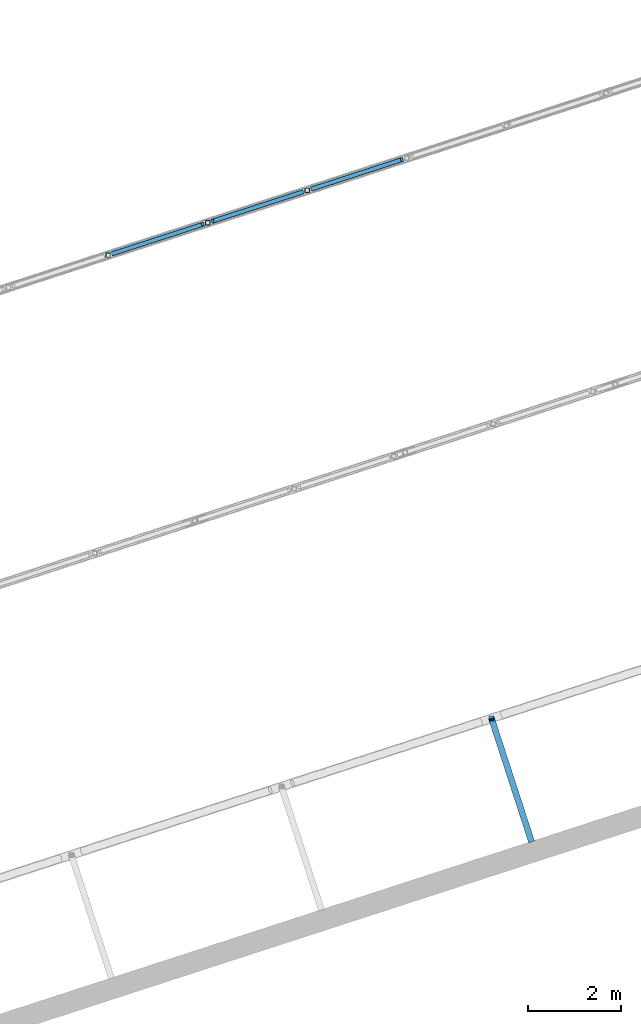
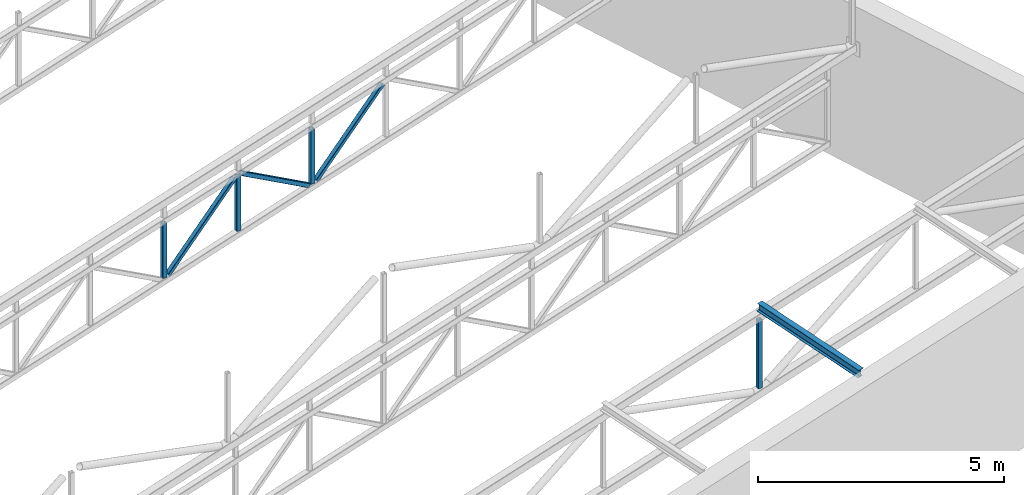
# One storey, part 17 of 81: 8 members.
"""IFC4 building model written with IfcOpenShell, lengths in metres."""

from ifc_helpers import new_model, si_unit, direction, frame, origin, origin_2d, place, context, subcontext, project, spatial, hollow_rectangle, i_section, extrude, material, material_profile, profile_set, type_object, element, save


model = new_model("IFC4")

# Units and contexts
model_context = context("Model", 3, precision=1e-05, world=origin(), true_north=direction((0.0, 1.0)))
body_context = subcontext(model_context, "Body", "Model", "MODEL_VIEW")
ifc_project = project(units=[si_unit("LENGTHUNIT", "METRE"), si_unit("AREAUNIT", "SQUARE_METRE"), si_unit("VOLUMEUNIT", "CUBIC_METRE"), si_unit("PLANEANGLEUNIT", "RADIAN"), si_unit("MASSUNIT", "GRAM", prefix="KILO")], contexts=[model_context])

# Site, building, storey
site_placement = place(None, origin())
site = spatial("IfcSite", under=ifc_project, at=site_placement, CompositionType="ELEMENT")
building_placement = place(site_placement, origin())
building = spatial("IfcBuilding", under=site, at=building_placement, Name="Tuart Plaza Theatre", CompositionType="ELEMENT")
storey_placement = place(building_placement, frame((0.0, 0.0, 17.5)))
storey = spatial("IfcBuildingStorey", under=building, at=storey_placement, Name="L04", CompositionType="ELEMENT", Elevation=17.5)

# Members
ifc_material_1 = material(Name="Steel Grade C350L0", Category="steel")
ifc_material_profile_1 = material_profile(ifc_material_1, hollow_rectangle(XDim=0.10009765625, YDim=0.10009765625, WallThickness=0.006103515625, InnerFilletRadius=0.006103515625, OuterFilletRadius=0.011962890625, at=origin_2d()), Name="100x100x6 SHS")
ifc_profile_set_1 = profile_set([ifc_material_profile_1], Name="Steel Grade C350L0")
member_type_1 = type_object("IfcMemberType", Name="MEMBER Brace 100x100x6 SHS", PredefinedType="BRACE", material=ifc_profile_set_1)
for number, where, z_axis, x_axis, name in (
    (1, (59.25, 60.77734375, 1.8916015625), (0.791072972357, 0.257066093415, 0.555086097847), (-0.309050599318, 0.951045596731, 0.0), "BR125"),
    (2, (61.387939453125, 61.47216796875, 3.24169921875), (0.791093381678, 0.256972345781, -0.555100418815), (-0.308941443477, 0.951081060953, 0.0), "BR126"),
    (3, (63.52587890625, 62.166748046875, 1.8916015625), (0.791072972357, 0.257066093415, 0.555086097847), (-0.309050599318, 0.951045596731, 0.0), "BR127"),
):
    element("IfcMember", number, at=place(storey_placement, frame(where, z_axis=z_axis, x_axis=x_axis)), inside=storey, type_object=member_type_1, Name=name, PredefinedType="BRACE", context=body_context, shape_type="SweptSolid", body=[
        extrude(hollow_rectangle(XDim=0.10009765625, YDim=0.10009765625, WallThickness=0.006103515625, InnerFilletRadius=0.006103515625, OuterFilletRadius=0.011962890625, at=origin_2d()), origin(), (0.0, 0.0, 1.0), 2.43212890625),
    ])
ifc_material_2 = material(Name="Steel Grade C350L0", Category="steel")
ifc_material_profile_2 = material_profile(ifc_material_2, hollow_rectangle(XDim=0.10009765625, YDim=0.10009765625, WallThickness=0.006103515625, InnerFilletRadius=0.006103515625, OuterFilletRadius=0.011962890625, at=origin_2d()), Name="100x100x6 SHS")
ifc_profile_set_2 = profile_set([ifc_material_profile_2], Name="Steel Grade C350L0")
member_type_2 = type_object("IfcMemberType", Name="MEMBER Post 100x100x6 SHS", PredefinedType="POST", material=ifc_profile_set_2)
member_1_placement = place(storey_placement, frame((67.372802734375, 50.799072265625, 2.307373046875), z_axis=(0.0, 0.0, 1.0), x_axis=(1.0, 0.0, 0.0)))
element("IfcMember", 4, at=member_1_placement, inside=storey, type_object=member_type_2, Name="PO5", PredefinedType="POST", context=body_context, shape_type="SweptSolid", body=[
    extrude(hollow_rectangle(XDim=0.10009765625, YDim=0.10009765625, WallThickness=0.006103515625, InnerFilletRadius=0.006103515625, OuterFilletRadius=0.011962890625, at=origin_2d()), origin(), (0.0, 0.0, 1.0), 1.699951171875),
])
for number, where, z_axis, x_axis, name in (
    (5, (59.14306640625, 60.74267578125, 1.8916015625), (0.0, 0.0, 1.0), (1.0, 0.0, 0.0), "PO141"),
    (6, (61.281005859375, 61.437255859375, 1.8916015625), (0.0, 0.0, 1.0), (1.0, 0.0, 0.0), "PO142"),
    (7, (63.4189453125, 62.132080078125, 1.8916015625), (0.0, 0.0, 1.0), (1.0, 0.0, 0.0), "PO143"),
):
    element("IfcMember", number, at=place(storey_placement, frame(where, z_axis=z_axis, x_axis=x_axis)), inside=storey, type_object=member_type_2, Name=name, PredefinedType="POST", context=body_context, shape_type="SweptSolid", body=[
        extrude(hollow_rectangle(XDim=0.10009765625, YDim=0.10009765625, WallThickness=0.006103515625, InnerFilletRadius=0.006103515625, OuterFilletRadius=0.011962890625, at=origin_2d()), origin(), (0.0, 0.0, 1.0), 1.35009765625),
    ])
ifc_material_3 = material(Name="Steel Grade 300", Category="steel")
ifc_material_profile_3 = material_profile(ifc_material_3, i_section(OverallWidth=0.133056640625, OverallDepth=0.202880859375, WebThickness=0.005859375, FlangeThickness=0.0078125, FilletRadius=0.0087890625, at=origin_2d()), Name="200UB25.4")
ifc_profile_set_3 = profile_set([ifc_material_profile_3], Name="Steel Grade 300")
member_type_3 = type_object("IfcMemberType", Name="MEMBER Purlin 200UB25.4", PredefinedType="PURLIN", material=ifc_profile_set_3)
member_2_placement = place(storey_placement, frame((68.23046875, 48.159912109375, 3.95654296875), z_axis=(-0.306406101038, 0.942855095993, 0.130918177529), x_axis=(-0.951040533825, -0.309066179031, 0.0)))
element("IfcMember", 8, at=member_2_placement, inside=storey, type_object=member_type_3, Name="PU25", PredefinedType="PURLIN", context=body_context, shape_type="SweptSolid", body=[
    extrude(i_section(OverallWidth=0.133056640625, OverallDepth=0.202880859375, WebThickness=0.005859375, FlangeThickness=0.0078125, FilletRadius=0.0087890625, at=origin_2d()), origin(), (0.0, 0.0, 1.0), 2.799072265625),
])

save(model, "model.ifc")
